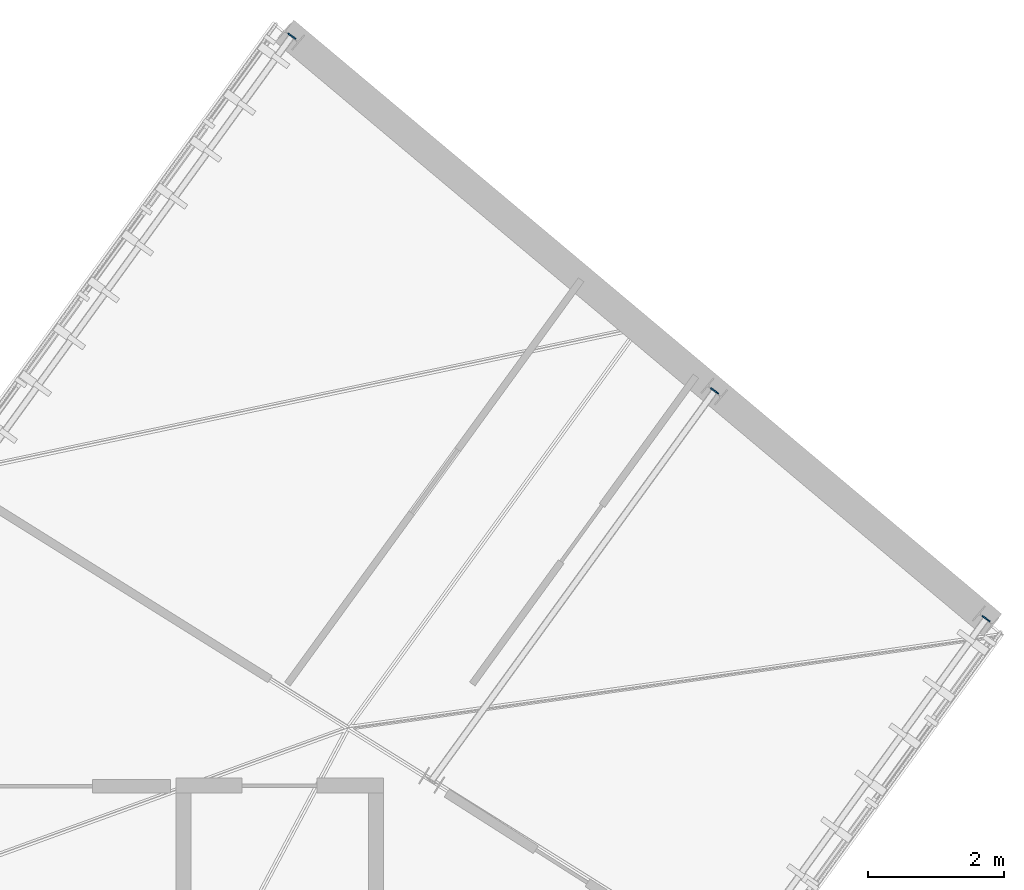
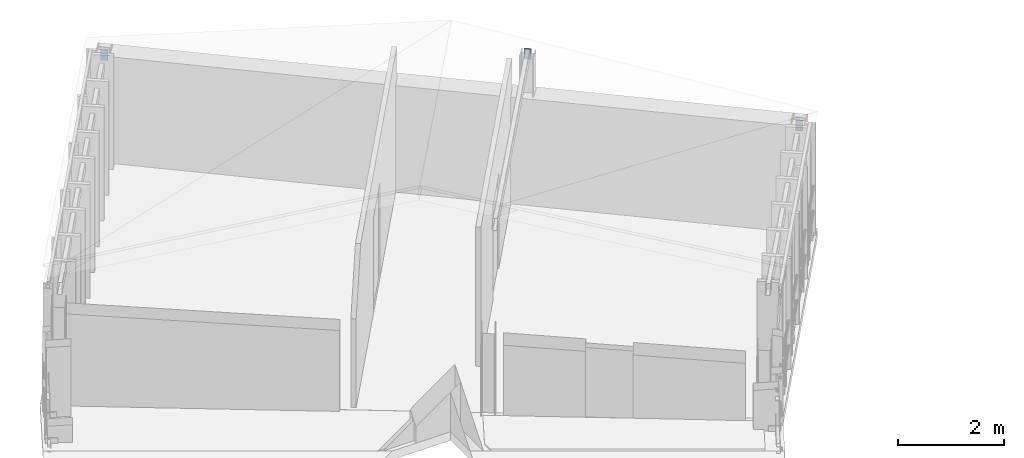
# One storey, part 13 of 18: 3 plates.
"""IFC4 building model written with IfcOpenShell, lengths in metres."""

from ifc_helpers import new_model, si_unit, direction, frame, origin, origin_2d, place, context, subcontext, project, spatial, rectangle, extrude, material, layer, layer_set, type_object, element, save


model = new_model("IFC4")

# Units and contexts
model_context = context("Model", 3, precision=1e-05, world=origin(), true_north=direction((0.0, 1.0)))
body_context = subcontext(model_context, "Body", "Model", "MODEL_VIEW")
ifc_project = project(units=[si_unit("LENGTHUNIT", "METRE"), si_unit("AREAUNIT", "SQUARE_METRE"), si_unit("VOLUMEUNIT", "CUBIC_METRE"), si_unit("PLANEANGLEUNIT", "RADIAN"), si_unit("MASSUNIT", "GRAM", prefix="KILO"), si_unit("THERMODYNAMICTEMPERATUREUNIT", "KELVIN"), si_unit("POWERUNIT", "WATT")], contexts=[model_context])

# Site, building, storey
site_placement = place(None, origin())
site = spatial("IfcSite", under=ifc_project, at=site_placement, CompositionType="ELEMENT")
building_placement = place(site_placement, origin())
building = spatial("IfcBuilding", under=site, at=building_placement, Name="Solvatero Civic Police Headquarters", CompositionType="ELEMENT")
storey_placement = place(building_placement, frame((0.0, 0.0, 29.39990234375)))
storey = spatial("IfcBuildingStorey", under=building, at=storey_placement, Name="L07", CompositionType="ELEMENT", Elevation=29.39990234375)

# Plates
ifc_material = material(Name="Steel S355", Category="steel")
ifc_layer = layer(ifc_material, 0.02001953125)
ifc_layer_set = layer_set([ifc_layer], Name="Steel S355")
plate_type = type_object("IfcPlateType", Name="PLT-CAP-20", PredefinedType="SHEET", material=ifc_layer_set)
for number, where, z_axis, x_axis, name in (
    (1, (59.265869140625, 55.158447265625, 2.2001953125), (0.0, 0.0, 1.0), (-0.587785252292, -0.809016994375, 0.0), "Hollow Section End Cap Plate 0213"),
    (2, (55.282470703125, 58.5009765625, 3.21533203125), (0.0, 0.0, 1.0), (-0.587785252292, -0.809016994375, 0.0), "Hollow Section End Cap Plate 0215"),
    (3, (49.077392578125, 63.70751953125, 2.2001953125), (0.0, 0.0, 1.0), (-0.587785252292, -0.809016994375, 0.0), "Hollow Section End Cap Plate 0217"),
):
    element("IfcPlate", number, at=place(storey_placement, frame(where, z_axis=z_axis, x_axis=x_axis)), inside=storey, type_object=plate_type, Name=name, PredefinedType="SHEET", context=body_context, shape_type="SweptSolid", body=[
        extrude(rectangle(XDim=0.02001953125, YDim=0.139892578125, at=origin_2d()), origin(), (0.0, 0.0, 1.0), 0.239990234375),
    ])

save(model, "model.ifc")
